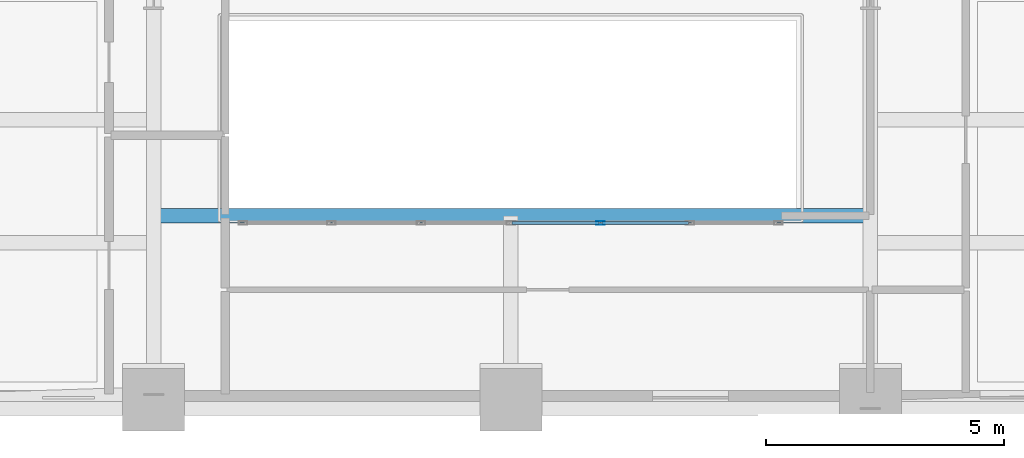
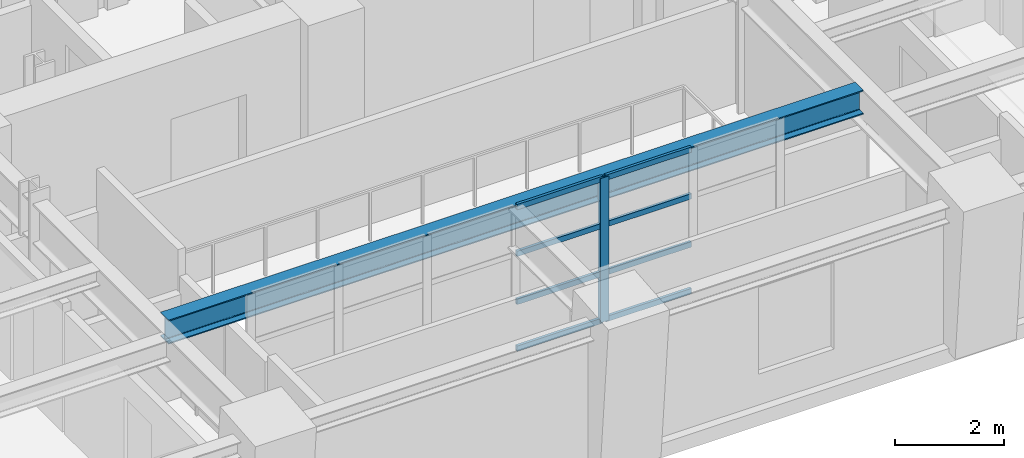
# One storey, part 3 of 16: 9 members, 1 beam, 1 element without a shape of its own.
"""IFC4 building model written with IfcOpenShell, lengths in metres."""

from ifc_helpers import new_model, si_unit, direction, frame, origin, origin_2d, place, context, subcontext, project, spatial, hollow_rectangle, i_section, extrude, material, layer, layer_set, material_profile, profile_set, type_object, element, aggregate, save


model = new_model("IFC4")

# Units and contexts
model_context = context("Model", 3, precision=1e-05, world=origin(), true_north=direction((0.0, 1.0)))
body_context = subcontext(model_context, "Body", "Model", "MODEL_VIEW")
ifc_project = project(units=[si_unit("LENGTHUNIT", "METRE"), si_unit("AREAUNIT", "SQUARE_METRE"), si_unit("VOLUMEUNIT", "CUBIC_METRE"), si_unit("PLANEANGLEUNIT", "RADIAN"), si_unit("MASSUNIT", "GRAM", prefix="KILO")], contexts=[model_context])

# Site, building, storey
site_placement = place(None, origin())
site = spatial("IfcSite", under=ifc_project, at=site_placement, CompositionType="ELEMENT")
building_placement = place(site_placement, origin())
building = spatial("IfcBuilding", under=site, at=building_placement, Name="Zarnavel Station Tower", CompositionType="ELEMENT")
storey_placement = place(building_placement, frame((0.0, 0.0, 101.300048828125)))
storey = spatial("IfcBuildingStorey", under=building, at=storey_placement, Name="L27", CompositionType="ELEMENT", Elevation=101.300048828125)

# Curtain wall, members
ifc_material_1 = material(Name="Aluminium Dark Anodised and Solar-Control Glass", Category="aluminium")
ifc_layer = layer(ifc_material_1, 0.179931640625)
ifc_layer_set = layer_set([ifc_layer], Name="CWS3")
curtain_wall_type = type_object("IfcCurtainWallType", Name="CWS3", PredefinedType="NOTDEFINED", material=ifc_layer_set)
curtain_wall_placement = place(storey_placement, origin())
curtain_wall = element("IfcCurtainWall", 1, at=curtain_wall_placement, inside=storey, type_object=curtain_wall_type, Name="L27 Curtain Wall CWS3-L27-AS", PredefinedType="NOTDEFINED")
ifc_material_2 = material(Name="Steel S355J2 (Black Fluoropolymer Coated)", Category="steel")
ifc_material_profile_1 = material_profile(ifc_material_2, hollow_rectangle(XDim=0.080078125, YDim=0.179931640625, WallThickness=0.00634765625, at=origin_2d()), Name="RHS180x80x6.3")
ifc_profile_set_1 = profile_set([ifc_material_profile_1], Name="Steel S355J2 (Black Fluoropolymer Coated)")
member_type_1 = type_object("IfcMemberType", Name="CWS3_MUL", PredefinedType="MULLION", material=ifc_profile_set_1)
member_1_placement = place(storey_placement, frame((30.683349609375, 20.64990234375, 0.0), z_axis=(0.0, 0.0, 1.0), x_axis=(0.0, 1.0, 0.0)))
member_1 = element("IfcMember", 2, at=member_1_placement, type_object=member_type_1, Name="CW3 mullion 5", PredefinedType="MULLION", context=body_context, shape_type="SweptSolid", body=[
    extrude(hollow_rectangle(XDim=0.080078125, YDim=0.179931640625, WallThickness=0.00634765625, at=origin_2d()), origin(), (0.0, 0.0, 1.0), 3.239990234375),
])
ifc_material_3 = material(Name="Steel S355J2 (Black Fluoropolymer Coated)", Category="steel")
ifc_material_profile_2 = material_profile(ifc_material_3, hollow_rectangle(XDim=0.06005859375, YDim=0.1201171875, WallThickness=0.0048828125, at=origin_2d()), Name="RHS120x60x5")
ifc_profile_set_2 = profile_set([ifc_material_profile_2], Name="Steel S355J2 (Black Fluoropolymer Coated)")
member_type_2 = type_object("IfcMemberType", Name="CWS3_TRN", PredefinedType="USERDEFINED", material=ifc_profile_set_2)
member_2_placement = place(storey_placement, frame((28.830078125, 20.64990234375, 0.030029296875), z_axis=(1.0, 0.0, 0.0), x_axis=(0.0, 1.0, 0.0)))
member_2 = element("IfcMember", 3, at=member_2_placement, type_object=member_type_2, Name="CW3 transom 4.1", ObjectType="TRANSOM", PredefinedType="USERDEFINED", context=body_context, shape_type="SweptSolid", body=[
    extrude(hollow_rectangle(XDim=0.06005859375, YDim=0.1201171875, WallThickness=0.0048828125, at=origin_2d()), origin(), (0.0, 0.0, 1.0), 1.8232421875),
])
member_3_placement = place(storey_placement, frame((28.830078125, 20.64990234375, 1.079833984375), z_axis=(1.0, 0.0, 0.0), x_axis=(0.0, 1.0, 0.0)))
member_3 = element("IfcMember", 4, at=member_3_placement, type_object=member_type_2, Name="CW3 transom 4.2", ObjectType="TRANSOM", PredefinedType="USERDEFINED", context=body_context, shape_type="SweptSolid", body=[
    extrude(hollow_rectangle(XDim=0.06005859375, YDim=0.1201171875, WallThickness=0.0048828125, at=origin_2d()), origin(), (0.0, 0.0, 1.0), 1.8232421875),
])
member_4_placement = place(storey_placement, frame((28.830078125, 20.64990234375, 2.159912109375), z_axis=(1.0, 0.0, 0.0), x_axis=(0.0, 1.0, 0.0)))
member_4 = element("IfcMember", 5, at=member_4_placement, type_object=member_type_2, Name="CW3 transom 4.3", ObjectType="TRANSOM", PredefinedType="USERDEFINED", context=body_context, shape_type="SweptSolid", body=[
    extrude(hollow_rectangle(XDim=0.06005859375, YDim=0.1201171875, WallThickness=0.0048828125, at=origin_2d()), origin(), (0.0, 0.0, 1.0), 1.8232421875),
])
member_5_placement = place(storey_placement, frame((28.830078125, 20.64990234375, 3.2099609375), z_axis=(1.0, 0.0, 0.0), x_axis=(0.0, 1.0, 0.0)))
member_5 = element("IfcMember", 6, at=member_5_placement, type_object=member_type_2, Name="CW3 transom 4.4", ObjectType="TRANSOM", PredefinedType="USERDEFINED", context=body_context, shape_type="SweptSolid", body=[
    extrude(hollow_rectangle(XDim=0.06005859375, YDim=0.1201171875, WallThickness=0.0048828125, at=origin_2d()), origin(), (0.0, 0.0, 1.0), 1.8232421875),
])
member_6_placement = place(storey_placement, frame((30.71337890625, 20.64990234375, 0.030029296875), z_axis=(1.0, 0.0, 0.0), x_axis=(0.0, 1.0, 0.0)))
member_6 = element("IfcMember", 7, at=member_6_placement, type_object=member_type_2, Name="CW3 transom 5.1", ObjectType="TRANSOM", PredefinedType="USERDEFINED", context=body_context, shape_type="SweptSolid", body=[
    extrude(hollow_rectangle(XDim=0.06005859375, YDim=0.1201171875, WallThickness=0.0048828125, at=origin_2d()), origin(), (0.0, 0.0, 1.0), 1.8232421875),
])
member_7_placement = place(storey_placement, frame((30.71337890625, 20.64990234375, 1.079833984375), z_axis=(1.0, 0.0, 0.0), x_axis=(0.0, 1.0, 0.0)))
member_7 = element("IfcMember", 8, at=member_7_placement, type_object=member_type_2, Name="CW3 transom 5.2", ObjectType="TRANSOM", PredefinedType="USERDEFINED", context=body_context, shape_type="SweptSolid", body=[
    extrude(hollow_rectangle(XDim=0.06005859375, YDim=0.1201171875, WallThickness=0.0048828125, at=origin_2d()), origin(), (0.0, 0.0, 1.0), 1.8232421875),
])
member_8_placement = place(storey_placement, frame((30.71337890625, 20.64990234375, 2.159912109375), z_axis=(1.0, 0.0, 0.0), x_axis=(0.0, 1.0, 0.0)))
member_8 = element("IfcMember", 9, at=member_8_placement, type_object=member_type_2, Name="CW3 transom 5.3", ObjectType="TRANSOM", PredefinedType="USERDEFINED", context=body_context, shape_type="SweptSolid", body=[
    extrude(hollow_rectangle(XDim=0.06005859375, YDim=0.1201171875, WallThickness=0.0048828125, at=origin_2d()), origin(), (0.0, 0.0, 1.0), 1.8232421875),
])
member_9_placement = place(storey_placement, frame((30.71337890625, 20.64990234375, 3.2099609375), z_axis=(1.0, 0.0, 0.0), x_axis=(0.0, 1.0, 0.0)))
member_9 = element("IfcMember", 10, at=member_9_placement, type_object=member_type_2, Name="CW3 transom 5.4", ObjectType="TRANSOM", PredefinedType="USERDEFINED", context=body_context, shape_type="SweptSolid", body=[
    extrude(hollow_rectangle(XDim=0.06005859375, YDim=0.1201171875, WallThickness=0.0048828125, at=origin_2d()), origin(), (0.0, 0.0, 1.0), 1.8232421875),
])
aggregate(curtain_wall, [member_1, member_2, member_3, member_4, member_5, member_6, member_7, member_8, member_9])

# Beam
ifc_material_4 = material(Name="Steel S355J2", Category="steel")
ifc_material_profile_3 = material_profile(ifc_material_4, i_section(OverallWidth=0.300048828125, OverallDepth=0.5400390625, WebThickness=0.012451171875, FlangeThickness=0.02392578125, FilletRadius=0.027099609375, at=origin_2d()), Name="HEA550")
ifc_profile_set_3 = profile_set([ifc_material_profile_3], Name="Steel S355J2")
beam_type = type_object("IfcBeamType", Name="FB_HEA550", PredefinedType="BEAM", material=ifc_profile_set_3)
beam_placement = place(storey_placement, frame((21.445068359375, 20.800048828125, 2.969970703125), z_axis=(1.0, 0.0, 0.0), x_axis=(0.0, 1.0, 0.0)))
element("IfcBeam", 11, at=beam_placement, inside=storey, type_object=beam_type, Name="L27 Atrium South Edge Girder", PredefinedType="BEAM", context=body_context, shape_type="SweptSolid", body=[
    extrude(i_section(OverallWidth=0.300048828125, OverallDepth=0.5400390625, WebThickness=0.012451171875, FlangeThickness=0.02392578125, FilletRadius=0.027099609375, at=origin_2d()), origin(), (0.0, 0.0, 1.0), 14.760009765625),
])

save(model, "model.ifc")
